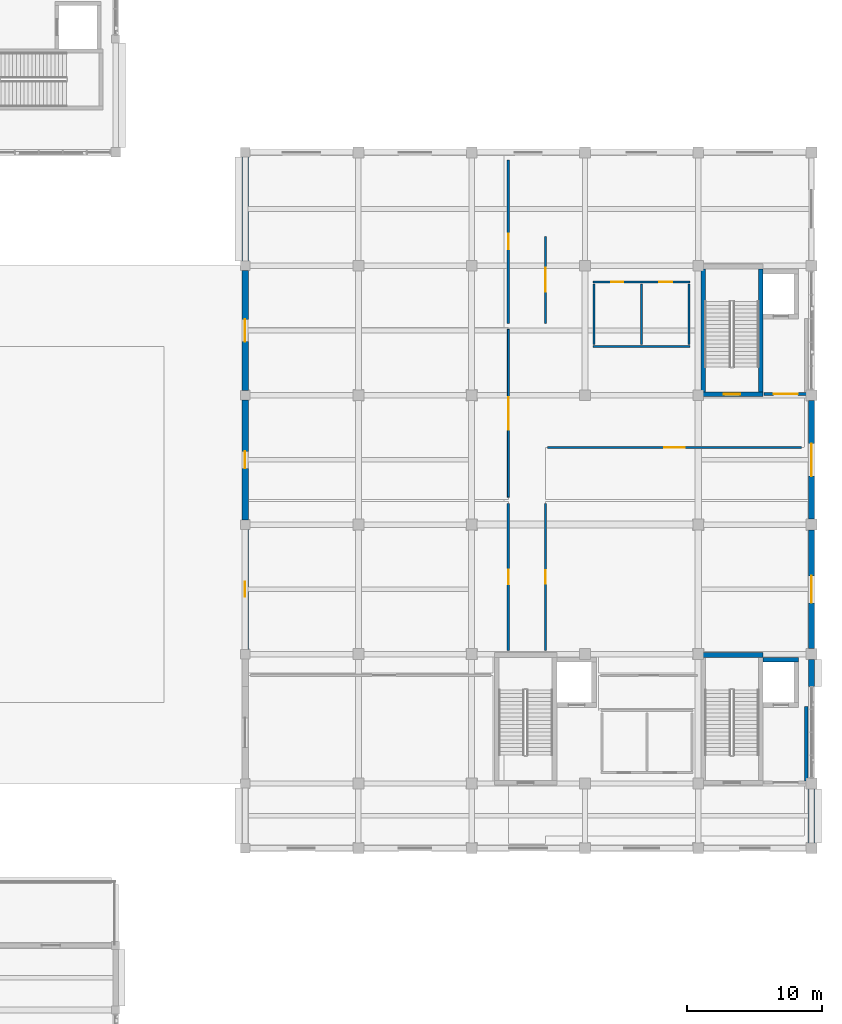
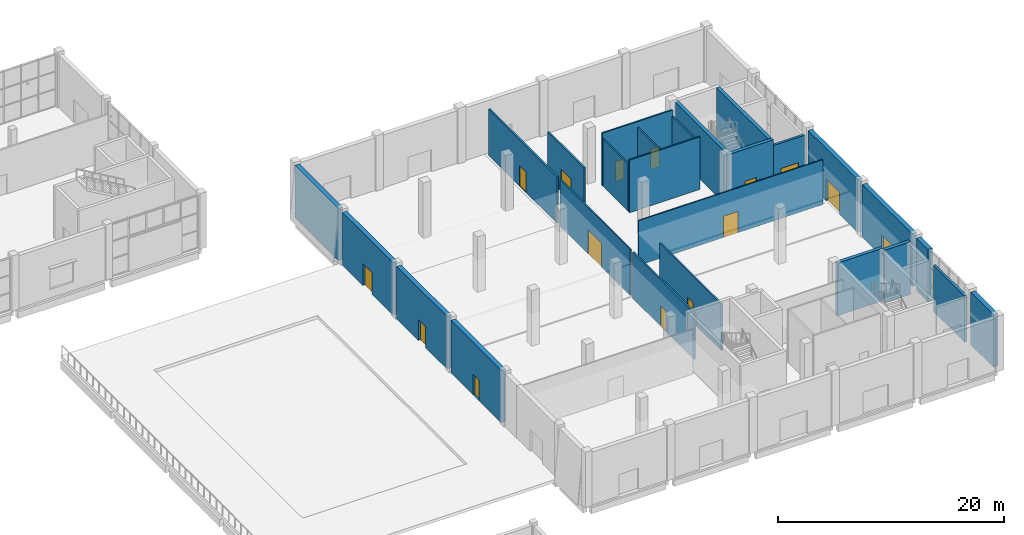
# One storey, part 60 of 84: 26 walls, 15 doors, 15 openings.
"""IFC4 building model written with IfcOpenShell, lengths in metres."""

from ifc_helpers import new_model, si_unit, direction, frame, frame_2d, origin, place, context, subcontext, project, spatial, rectangle, extrude, material, layer, layer_set, type_object, element, fill, save


model = new_model("IFC4")

# Units and contexts
model_context = context("Model", 3, precision=1e-05, world=origin(), true_north=direction((0.0, 1.0)))
body_context = subcontext(model_context, "Body", "Model", "MODEL_VIEW")
ifc_project = project(units=[si_unit("LENGTHUNIT", "METRE"), si_unit("AREAUNIT", "SQUARE_METRE"), si_unit("VOLUMEUNIT", "CUBIC_METRE"), si_unit("PLANEANGLEUNIT", "RADIAN"), si_unit("MASSUNIT", "GRAM", prefix="KILO")], contexts=[model_context])

# Site, building, storey
site_placement = place(None, origin())
site = spatial("IfcSite", under=ifc_project, at=site_placement, CompositionType="ELEMENT")
building_placement = place(site_placement, origin())
building = spatial("IfcBuilding", under=site, at=building_placement, Name="Shalvenor Court Art Gallery", CompositionType="ELEMENT")
storey_placement = place(building_placement, origin())
storey = spatial("IfcBuildingStorey", under=building, at=storey_placement, Name="L00", CompositionType="ELEMENT", Elevation=0.0)

# Wall
ifc_material_1 = material(Name="Concrete C40/50", Category="concrete")
ifc_layer_1 = layer(ifc_material_1, 0.35009765625, Name="Concrete C40/50")
ifc_layer_set_1 = layer_set([ifc_layer_1], Name="Concrete C40/50")
wall_type_1 = type_object("IfcWallType", Name="CW-W1", PredefinedType="SHEAR", material=ifc_layer_set_1)
wall_1_placement = place(storey_placement, frame((172.636962890625, 88.56201171875, 0.0), z_axis=(0.0, 0.0, 1.0), x_axis=(0.0, -1.0, 0.0)))
element("IfcWall", 1, at=wall_1_placement, inside=storey, type_object=wall_type_1, Name="L00 C1 Stair Core Shear Wall E", PredefinedType="SHEAR", context=body_context, shape_type="SweptSolid", body=[
    extrude(rectangle(XDim=9.1240234375, YDim=0.35009765625, at=frame_2d((4.56201171875, 0.0))), origin(), (0.0, 0.0, 1.0), 5.679931640625),
])

# Wall, opening, door
wall_2_placement = place(storey_placement, frame((172.81201171875, 79.262939453125, 0.0), z_axis=(0.0, 0.0, 1.0), x_axis=(-1.0, 0.0, 0.0)))
wall_2 = element("IfcWall", 2, at=wall_2_placement, inside=storey, type_object=wall_type_1, Name="L00 C1 Stair Core Shear Wall S", PredefinedType="SHEAR", context=body_context, shape_type="SweptSolid", body=[
    extrude(rectangle(XDim=4.6240234375, YDim=0.35009765625, at=frame_2d((2.31201171875, 0.0))), origin(), (0.0, 0.0, 1.0), 5.679931640625),
])
opening_1_placement = place(wall_2_placement, frame((1.7119140625, 0.0, 0.0)))
opening_1 = element("IfcOpeningElement", 3, at=opening_1_placement, cuts=wall_2, Name="Opening FD-01", PredefinedType="OPENING", context=body_context, shape_type="SweptSolid", body=[
    extrude(rectangle(XDim=1.199951171875, YDim=2.199951171875, at=frame_2d((0.60009765625, 1.10009765625))), frame((0.0, 0.18505859375, 0.0), z_axis=(0.0, -1.0, 0.0), x_axis=(1.0, 0.0, 0.0)), (0.0, 0.0, 1.0), 0.3701171875),
])
ifc_material_2 = material(Name="Fire-rated steel stair doorset", Category="steel")
door_type_1 = type_object("IfcDoorType", Name="FD-01", OperationType="NOTDEFINED", PredefinedType="DOOR", material=ifc_material_2)
door_1_placement = place(opening_1_placement, origin())
door_1 = element("IfcDoor", 4, at=door_1_placement, inside=storey, type_object=door_type_1, Name="DR-ST-L00-C1 L00 ST-01 Fire Stair Door", OperationType="SINGLE_SWING_LEFT", OverallHeight=2.199951171875, OverallWidth=1.199951171875, PredefinedType="DOOR", context=body_context, shape_type="SweptSolid", body=[
    extrude(rectangle(XDim=1.199951171875, YDim=2.199951171875, at=frame_2d((0.60009765625, 1.10009765625))), frame((0.0, 0.02490234375, 0.0), z_axis=(0.0, -1.0, 0.0), x_axis=(1.0, 0.0, 0.0)), (0.0, 0.0, 1.0), 0.050048828125),
])
fill(opening_1, door_1)

# Walls
wall_3_placement = place(storey_placement, frame((168.363037109375, 79.43798828125, 0.0), z_axis=(0.0, 0.0, 1.0), x_axis=(0.0, 1.0, 0.0)))
element("IfcWall", 5, at=wall_3_placement, inside=storey, type_object=wall_type_1, Name="L00 C1 Stair Core Shear Wall W", PredefinedType="SHEAR", context=body_context, shape_type="SweptSolid", body=[
    extrude(rectangle(XDim=9.1240234375, YDim=0.35009765625, at=frame_2d((4.56201171875, 0.0))), origin(), (0.0, 0.0, 1.0), 5.679931640625),
])
wall_4_placement = place(storey_placement, frame((168.18798828125, 59.93701171875, 0.0), z_axis=(0.0, 0.0, 1.0), x_axis=(1.0, 0.0, 0.0)))
element("IfcWall", 6, at=wall_4_placement, inside=storey, type_object=wall_type_1, Name="L00 C2 Stair Core Shear Wall N", PredefinedType="SHEAR", context=body_context, shape_type="SweptSolid", body=[
    extrude(rectangle(XDim=4.6240234375, YDim=0.35009765625, at=frame_2d((2.31201171875, 0.0))), origin(), (0.0, 0.0, 1.0), 5.679931640625),
])
wall_5_placement = place(storey_placement, frame((172.81201171875, 59.574951171875, 0.0), z_axis=(0.0, 0.0, 1.0), x_axis=(1.0, 0.0, 0.0)))
element("IfcWall", 7, at=wall_5_placement, inside=storey, type_object=wall_type_1, Name="L00 FL-02 Lift Shaft Wall N", PredefinedType="SHEAR", context=body_context, shape_type="SweptSolid", body=[
    extrude(rectangle(XDim=2.637939453125, YDim=0.35009765625, at=frame_2d((1.31884765625, 0.0))), origin(), (0.0, 0.0, 1.0), 5.679931640625),
])

# Wall, opening, door
ifc_material_3 = material(Name="Concrete C40/50", Category="concrete")
ifc_layer_2 = layer(ifc_material_3, 0.4599609375, Name="Concrete C40/50")
ifc_layer_set_2 = layer_set([ifc_layer_2], Name="Concrete C40/50")
wall_type_2 = type_object("IfcWallType", Name="EW-01", PredefinedType="SOLIDWALL", material=ifc_layer_set_2)
wall_6_placement = place(storey_placement, frame((176.39990234375, 78.800048828125, 0.0), z_axis=(0.0, 0.0, 1.0), x_axis=(0.0, -1.0, 0.0)))
wall_6 = element("IfcWall", 8, at=wall_6_placement, inside=storey, type_object=wall_type_2, Name="L00 V1 Exterior Wall WL-L00-0031", PredefinedType="SOLIDWALL", context=body_context, shape_type="SweptSolid", body=[
    extrude(rectangle(XDim=8.800048828125, YDim=0.4599609375, at=frame_2d((4.39990234375, 0.0))), origin(), (0.0, 0.0, 1.0), 5.679931640625),
])
opening_2_placement = place(wall_6_placement, frame((3.199951171875, 0.0, 0.0)))
opening_2 = element("IfcOpeningElement", 9, at=opening_2_placement, cuts=wall_6, Name="Opening ED-02", PredefinedType="OPENING", context=body_context, shape_type="SweptSolid", body=[
    extrude(rectangle(XDim=2.39990234375, YDim=2.39990234375, at=frame_2d((1.199951171875, 1.199951171875))), frame((0.0, 0.239990234375, 0.0), z_axis=(0.0, -1.0, 0.0), x_axis=(1.0, 0.0, 0.0)), (0.0, 0.0, 1.0), 0.47998046875),
])
ifc_material_4 = material(Name="Anodised bronze glazed exit doorset", Category="aluminium")
door_type_2 = type_object("IfcDoorType", Name="ED-02", OperationType="NOTDEFINED", PredefinedType="DOOR", material=ifc_material_4)
door_2_placement = place(opening_2_placement, origin())
door_2 = element("IfcDoor", 10, at=door_2_placement, inside=storey, type_object=door_type_2, Name="DR-EX-07 L00 Pedestrian Final Exit Door", OperationType="DOUBLE_DOOR_SINGLE_SWING", OverallHeight=2.39990234375, OverallWidth=2.39990234375, PredefinedType="DOOR", context=body_context, shape_type="SweptSolid", body=[
    extrude(rectangle(XDim=2.39990234375, YDim=2.39990234375, at=frame_2d((1.199951171875, 1.199951171875))), frame((0.0, 0.02490234375, 0.0), z_axis=(0.0, -1.0, 0.0), x_axis=(1.0, 0.0, 0.0)), (0.0, 0.0, 1.0), 0.050048828125),
])
fill(opening_2, door_2)

wall_7_placement = place(storey_placement, frame((176.39990234375, 69.199951171875, 0.0), z_axis=(0.0, 0.0, 1.0), x_axis=(0.0, -1.0, 0.0)))
wall_7 = element("IfcWall", 11, at=wall_7_placement, inside=storey, type_object=wall_type_2, Name="L00 V1 Exterior Wall WL-L00-0032", PredefinedType="SOLIDWALL", context=body_context, shape_type="SweptSolid", body=[
    extrude(rectangle(XDim=8.800048828125, YDim=0.4599609375, at=frame_2d((4.39990234375, 0.0))), origin(), (0.0, 0.0, 1.0), 5.679931640625),
])
opening_3_placement = place(wall_7_placement, frame((3.39990234375, 0.0, 0.0)))
opening_3 = element("IfcOpeningElement", 12, at=opening_3_placement, cuts=wall_7, Name="Opening ED-03", PredefinedType="OPENING", context=body_context, shape_type="SweptSolid", body=[
    extrude(rectangle(XDim=2.0, YDim=2.300048828125, at=frame_2d((1.0, 1.14990234375))), frame((0.0, 0.239990234375, 0.0), z_axis=(0.0, -1.0, 0.0), x_axis=(1.0, 0.0, 0.0)), (0.0, 0.0, 1.0), 0.47998046875),
])
ifc_material_5 = material(Name="Anodised bronze glazed exit doorset", Category="aluminium")
door_type_3 = type_object("IfcDoorType", Name="ED-03", OperationType="NOTDEFINED", PredefinedType="DOOR", material=ifc_material_5)
door_3_placement = place(opening_3_placement, origin())
door_3 = element("IfcDoor", 13, at=door_3_placement, inside=storey, type_object=door_type_3, Name="DR-EX-08 L00 Pedestrian Final Exit Door", OperationType="DOUBLE_DOOR_SINGLE_SWING", OverallHeight=2.300048828125, OverallWidth=2.0, PredefinedType="DOOR", context=body_context, shape_type="SweptSolid", body=[
    extrude(rectangle(XDim=2.0, YDim=2.300048828125, at=frame_2d((1.0, 1.14990234375))), frame((0.0, 0.02490234375, 0.0), z_axis=(0.0, -1.0, 0.0), x_axis=(1.0, 0.0, 0.0)), (0.0, 0.0, 1.0), 0.050048828125),
])
fill(opening_3, door_3)

# Walls
wall_8_placement = place(storey_placement, frame((176.39990234375, 59.60009765625, 0.0), z_axis=(0.0, 0.0, 1.0), x_axis=(0.0, -1.0, 0.0)))
element("IfcWall", 14, at=wall_8_placement, inside=storey, type_object=wall_type_2, Name="L00 V1 Exterior Wall WL-L00-0033", PredefinedType="SOLIDWALL", context=body_context, shape_type="SweptSolid", body=[
    extrude(rectangle(XDim=2.0, YDim=0.4599609375, at=frame_2d((1.0, 0.0))), origin(), (0.0, 0.0, 1.0), 5.679931640625),
])
wall_9_placement = place(storey_placement, frame((176.39990234375, 50.0, 0.0), z_axis=(0.0, 0.0, 1.0), x_axis=(0.0, -1.0, 0.0)))
element("IfcWall", 15, at=wall_9_placement, inside=storey, type_object=wall_type_2, Name="L00 V1 Exterior Wall WL-L00-0034", PredefinedType="SOLIDWALL", context=body_context, shape_type="SweptSolid", body=[
    extrude(rectangle(XDim=4.0, YDim=0.4599609375, at=frame_2d((2.0, 0.0))), origin(), (0.0, 0.0, 1.0), 5.679931640625),
])

# Wall, opening, door
wall_10_placement = place(storey_placement, frame((134.39990234375, 60.35009765625, 0.0), z_axis=(0.0, 0.0, 1.0), x_axis=(0.0, 1.0, 0.0)))
wall_10 = element("IfcWall", 16, at=wall_10_placement, inside=storey, type_object=wall_type_2, Name="L00 V1 Exterior Wall WL-L00-0043", PredefinedType="SOLIDWALL", context=body_context, shape_type="SweptSolid", body=[
    extrude(rectangle(XDim=8.89990234375, YDim=0.4599609375, at=frame_2d((4.449951171875, 0.0))), origin(), (0.0, 0.0, 1.0), 5.679931640625),
])
opening_4_placement = place(wall_10_placement, frame((3.89990234375, 0.0, 0.0)))
opening_4 = element("IfcOpeningElement", 17, at=opening_4_placement, cuts=wall_10, Name="Opening TD-03", PredefinedType="OPENING", context=body_context, shape_type="SweptSolid", body=[
    extrude(rectangle(XDim=1.10009765625, YDim=2.199951171875, at=frame_2d((0.550048828125, 1.10009765625))), frame((0.0, 0.239990234375, 0.0), z_axis=(0.0, -1.0, 0.0), x_axis=(1.0, 0.0, 0.0)), (0.0, 0.0, 1.0), 0.47998046875),
])
ifc_material_6 = material(Name="Anodised aluminium glazed terrace door", Category="aluminium")
door_type_4 = type_object("IfcDoorType", Name="TD-03", OperationType="NOTDEFINED", PredefinedType="DOOR", material=ifc_material_6)
door_4_placement = place(opening_4_placement, origin())
door_4 = element("IfcDoor", 18, at=door_4_placement, inside=storey, type_object=door_type_4, Name="DR-TR-015 L00 Gallery Terrace Door", OperationType="SINGLE_SWING_RIGHT", OverallHeight=2.199951171875, OverallWidth=1.10009765625, PredefinedType="DOOR", context=body_context, shape_type="SweptSolid", body=[
    extrude(rectangle(XDim=1.10009765625, YDim=2.199951171875, at=frame_2d((0.550048828125, 1.10009765625))), frame((0.0, 0.02490234375, 0.0), z_axis=(0.0, -1.0, 0.0), x_axis=(1.0, 0.0, 0.0)), (0.0, 0.0, 1.0), 0.050048828125),
])
fill(opening_4, door_4)

wall_11_placement = place(storey_placement, frame((134.39990234375, 69.949951171875, 0.0), z_axis=(0.0, 0.0, 1.0), x_axis=(0.0, 1.0, 0.0)))
wall_11 = element("IfcWall", 19, at=wall_11_placement, inside=storey, type_object=wall_type_2, Name="L00 V1 Exterior Wall WL-L00-0044", PredefinedType="SOLIDWALL", context=body_context, shape_type="SweptSolid", body=[
    extrude(rectangle(XDim=8.900146484375, YDim=0.4599609375, at=frame_2d((4.4501953125, 0.0))), origin(), (0.0, 0.0, 1.0), 5.679931640625),
])
opening_5_placement = place(wall_11_placement, frame((3.824951171875, 0.0, 0.0)))
opening_5 = element("IfcOpeningElement", 20, at=opening_5_placement, cuts=wall_11, Name="Opening TD-04", PredefinedType="OPENING", context=body_context, shape_type="SweptSolid", body=[
    extrude(rectangle(XDim=1.25, YDim=2.25, at=frame_2d((0.625, 1.125))), frame((0.0, 0.239990234375, 0.0), z_axis=(0.0, -1.0, 0.0), x_axis=(1.0, 0.0, 0.0)), (0.0, 0.0, 1.0), 0.47998046875),
])
ifc_material_7 = material(Name="Anodised aluminium glazed terrace door", Category="aluminium")
door_type_5 = type_object("IfcDoorType", Name="TD-04", OperationType="NOTDEFINED", PredefinedType="DOOR", material=ifc_material_7)
door_5_placement = place(opening_5_placement, origin())
door_5 = element("IfcDoor", 21, at=door_5_placement, inside=storey, type_object=door_type_5, Name="DR-TR-016 L00 Gallery Terrace Door", OperationType="SINGLE_SWING_LEFT", OverallHeight=2.25, OverallWidth=1.25, PredefinedType="DOOR", context=body_context, shape_type="SweptSolid", body=[
    extrude(rectangle(XDim=1.25, YDim=2.25, at=frame_2d((0.625, 1.125))), frame((0.0, 0.02490234375, 0.0), z_axis=(0.0, -1.0, 0.0), x_axis=(1.0, 0.0, 0.0)), (0.0, 0.0, 1.0), 0.050048828125),
])
fill(opening_5, door_5)

wall_12_placement = place(storey_placement, frame((134.39990234375, 79.550048828125, 0.0), z_axis=(0.0, 0.0, 1.0), x_axis=(0.0, 1.0, 0.0)))
wall_12 = element("IfcWall", 22, at=wall_12_placement, inside=storey, type_object=wall_type_2, Name="L00 V1 Exterior Wall WL-L00-0045", PredefinedType="SOLIDWALL", context=body_context, shape_type="SweptSolid", body=[
    extrude(rectangle(XDim=8.89990234375, YDim=0.4599609375, at=frame_2d((4.449951171875, 0.0))), origin(), (0.0, 0.0, 1.0), 5.679931640625),
])
opening_6_placement = place(wall_12_placement, frame((3.625, 0.0, 0.0)))
opening_6 = element("IfcOpeningElement", 23, at=opening_6_placement, cuts=wall_12, Name="Opening TD-05", PredefinedType="OPENING", context=body_context, shape_type="SweptSolid", body=[
    extrude(rectangle(XDim=1.64990234375, YDim=2.35009765625, at=frame_2d((0.824951171875, 1.175048828125))), frame((0.0, 0.239990234375, 0.0), z_axis=(0.0, -1.0, 0.0), x_axis=(1.0, 0.0, 0.0)), (0.0, 0.0, 1.0), 0.47998046875),
])
ifc_material_8 = material(Name="Anodised aluminium glazed terrace door", Category="aluminium")
door_type_6 = type_object("IfcDoorType", Name="TD-05", OperationType="NOTDEFINED", PredefinedType="DOOR", material=ifc_material_8)
door_6_placement = place(opening_6_placement, origin())
door_6 = element("IfcDoor", 24, at=door_6_placement, inside=storey, type_object=door_type_6, Name="DR-TR-017 L00 Gallery Terrace Door", OperationType="DOUBLE_DOOR_SINGLE_SWING", OverallHeight=2.35009765625, OverallWidth=1.64990234375, PredefinedType="DOOR", context=body_context, shape_type="SweptSolid", body=[
    extrude(rectangle(XDim=1.64990234375, YDim=2.35009765625, at=frame_2d((0.824951171875, 1.175048828125))), frame((0.0, 0.02490234375, 0.0), z_axis=(0.0, -1.0, 0.0), x_axis=(1.0, 0.0, 0.0)), (0.0, 0.0, 1.0), 0.050048828125),
])
fill(opening_6, door_6)

# Wall
wall_13_placement = place(storey_placement, frame((134.39990234375, 89.14990234375, 0.0), z_axis=(0.0, 0.0, 1.0), x_axis=(0.0, 1.0, 0.0)))
element("IfcWall", 25, at=wall_13_placement, inside=storey, type_object=wall_type_2, Name="L00 V1 Exterior Wall WL-L00-0046", PredefinedType="SOLIDWALL", context=body_context, shape_type="SweptSolid", body=[
    extrude(rectangle(XDim=7.7001953125, YDim=0.4599609375, at=frame_2d((3.85009765625, 0.0))), origin(), (0.0, 0.0, 1.0), 5.679931640625),
])

# Wall, opening, door
ifc_material_9 = material(Name="Concrete blockwork fire wall", Category="masonry")
ifc_layer_3 = layer(ifc_material_9, 0.239990234375, Name="Concrete blockwork fire wall")
ifc_layer_set_3 = layer_set([ifc_layer_3], Name="Concrete blockwork fire wall")
wall_type_3 = type_object("IfcWallType", Name="FW-01", PredefinedType="PARTITIONING", material=ifc_layer_set_3)
wall_14_placement = place(storey_placement, frame((176.1201171875, 79.280029296875, 0.0), z_axis=(0.0, 0.0, 1.0), x_axis=(-1.0, 0.0, 0.0)))
wall_14 = element("IfcWall", 26, at=wall_14_placement, inside=storey, type_object=wall_type_3, Name="L00 C1 Firefighting Lobby Wall S", PredefinedType="PARTITIONING", context=body_context, shape_type="SweptSolid", body=[
    extrude(rectangle(XDim=3.25, YDim=0.239990234375, at=frame_2d((1.625, 0.0))), origin(), (0.0, 0.0, 1.0), 5.0048828125),
])
opening_7_placement = place(wall_14_placement, frame((0.72509765625, 0.0, 0.0)))
opening_7 = element("IfcOpeningElement", 27, at=opening_7_placement, cuts=wall_14, Name="Opening FD-02", PredefinedType="OPENING", context=body_context, shape_type="SweptSolid", body=[
    extrude(rectangle(XDim=1.800048828125, YDim=2.25, at=frame_2d((0.89990234375, 1.125))), frame((0.0, 0.1298828125, 0.0), z_axis=(0.0, -1.0, 0.0), x_axis=(1.0, 0.0, 0.0)), (0.0, 0.0, 1.0), 0.260009765625),
])
ifc_material_10 = material(Name="Fire-rated double lobby doorset", Category="steel")
door_type_7 = type_object("IfcDoorType", Name="FD-02", OperationType="NOTDEFINED", PredefinedType="DOOR", material=ifc_material_10)
door_7_placement = place(opening_7_placement, origin())
door_7 = element("IfcDoor", 28, at=door_7_placement, inside=storey, type_object=door_type_7, Name="DR-FFL-L00-C1 L00 C1 Firefighting Lobby Double Door", OperationType="DOUBLE_DOOR_SINGLE_SWING", OverallHeight=2.25, OverallWidth=1.800048828125, PredefinedType="DOOR", context=body_context, shape_type="SweptSolid", body=[
    extrude(rectangle(XDim=1.800048828125, YDim=2.25, at=frame_2d((0.89990234375, 1.125))), frame((0.0, 0.02490234375, 0.0), z_axis=(0.0, -1.0, 0.0), x_axis=(1.0, 0.0, 0.0)), (0.0, 0.0, 1.0), 0.050048828125),
])
fill(opening_7, door_7)

# Wall
wall_15_placement = place(storey_placement, frame((176.0, 56.10009765625, 0.0), z_axis=(0.0, 0.0, 1.0), x_axis=(0.0, -1.0, 0.0)))
element("IfcWall", 29, at=wall_15_placement, inside=storey, type_object=wall_type_3, Name="L00 C2 Firefighting Lobby Wall E", PredefinedType="PARTITIONING", context=body_context, shape_type="SweptSolid", body=[
    extrude(rectangle(XDim=5.5, YDim=0.239990234375, at=frame_2d((2.75, 0.0))), origin(), (0.0, 0.0, 1.0), 5.0048828125),
])

# Wall, opening, door
ifc_material_11 = material(Name="Plywood-backed acoustic art-hanging partition", Category="wood")
ifc_layer_4 = layer(ifc_material_11, 0.179931640625, Name="Plywood-backed acoustic art-hanging partition")
ifc_layer_set_4 = layer_set([ifc_layer_4], Name="Plywood-backed acoustic art-hanging partition")
wall_type_4 = type_object("IfcWallType", Name="PT-01", PredefinedType="PARTITIONING", material=ifc_layer_set_4)
wall_16_placement = place(storey_placement, frame((153.919921875, 71.169921875, 0.0), z_axis=(0.0, 0.0, 1.0), x_axis=(0.0, -1.0, 0.0)))
wall_16 = element("IfcWall", 30, at=wall_16_placement, inside=storey, type_object=wall_type_4, Name="L00 Sculpture Exhibition Hall Partition 593", PredefinedType="PARTITIONING", context=body_context, shape_type="SweptSolid", body=[
    extrude(rectangle(XDim=10.89990234375, YDim=0.179931640625, at=frame_2d((5.449951171875, 0.0))), origin(), (0.0, 0.0, 1.0), 5.0048828125),
])
opening_8_placement = place(wall_16_placement, frame((4.925048828125, 0.0, 0.0)))
opening_8 = element("IfcOpeningElement", 31, at=opening_8_placement, cuts=wall_16, Name="Opening ID-04", PredefinedType="OPENING", context=body_context, shape_type="SweptSolid", body=[
    extrude(rectangle(XDim=1.050048828125, YDim=2.199951171875, at=frame_2d((0.52490234375, 1.10009765625))), frame((0.0, 0.099853515625, 0.0), z_axis=(0.0, -1.0, 0.0), x_axis=(1.0, 0.0, 0.0)), (0.0, 0.0, 1.0), 0.199951171875),
])
ifc_material_12 = material(Name="Oak-veneered accessible room doorset", Category="wood")
door_type_8 = type_object("IfcDoorType", Name="ID-04", OperationType="NOTDEFINED", PredefinedType="DOOR", material=ifc_material_12)
door_8_placement = place(opening_8_placement, origin())
door_8 = element("IfcDoor", 32, at=door_8_placement, inside=storey, type_object=door_type_8, Name="DR-RM-L00-0124 L00 Sculpture Exhibition Hall Door", OperationType="SINGLE_SWING_RIGHT", OverallHeight=2.199951171875, OverallWidth=1.050048828125, PredefinedType="DOOR", context=body_context, shape_type="SweptSolid", body=[
    extrude(rectangle(XDim=1.050048828125, YDim=2.199951171875, at=frame_2d((0.52490234375, 1.10009765625))), frame((0.0, 0.02490234375, 0.0), z_axis=(0.0, -1.0, 0.0), x_axis=(1.0, 0.0, 0.0)), (0.0, 0.0, 1.0), 0.050048828125),
])
fill(opening_8, door_8)

wall_17_placement = place(storey_placement, frame((153.919921875, 96.64990234375, 0.0), z_axis=(0.0, 0.0, 1.0), x_axis=(0.0, -1.0, 0.0)))
wall_17 = element("IfcWall", 33, at=wall_17_placement, inside=storey, type_object=wall_type_4, Name="L00 Fire Command Centre Partition 597", PredefinedType="PARTITIONING", context=body_context, shape_type="SweptSolid", body=[
    extrude(rectangle(XDim=12.119873046875, YDim=0.179931640625, at=frame_2d((6.06005859375, 0.0))), origin(), (0.0, 0.0, 1.0), 5.0048828125),
])
opening_9_placement = place(wall_17_placement, frame((5.485107421875, 0.0, 0.0)))
opening_9 = element("IfcOpeningElement", 34, at=opening_9_placement, cuts=wall_17, Name="Opening ID-10", PredefinedType="OPENING", context=body_context, shape_type="SweptSolid", body=[
    extrude(rectangle(XDim=1.14990234375, YDim=2.199951171875, at=frame_2d((0.574951171875, 1.10009765625))), frame((0.0, 0.099853515625, 0.0), z_axis=(0.0, -1.0, 0.0), x_axis=(1.0, 0.0, 0.0)), (0.0, 0.0, 1.0), 0.199951171875),
])
ifc_material_13 = material(Name="Acoustic conservation lab single doorset", Category="steel")
door_type_9 = type_object("IfcDoorType", Name="ID-10", OperationType="NOTDEFINED", PredefinedType="DOOR", material=ifc_material_13)
door_9_placement = place(opening_9_placement, origin())
door_9 = element("IfcDoor", 35, at=door_9_placement, inside=storey, type_object=door_type_9, Name="DR-RM-L00-0128 L00 Fire Command Centre Door", OperationType="SINGLE_SWING_RIGHT", OverallHeight=2.199951171875, OverallWidth=1.14990234375, PredefinedType="DOOR", context=body_context, shape_type="SweptSolid", body=[
    extrude(rectangle(XDim=1.14990234375, YDim=2.199951171875, at=frame_2d((0.574951171875, 1.10009765625))), frame((0.0, 0.02490234375, 0.0), z_axis=(0.0, -1.0, 0.0), x_axis=(1.0, 0.0, 0.0)), (0.0, 0.0, 1.0), 0.050048828125),
])
fill(opening_9, door_9)

ifc_material_14 = material(Name="Double-stud acoustic gallery partition", Category="other")
ifc_layer_5 = layer(ifc_material_14, 0.1650390625, Name="Double-stud acoustic gallery partition")
ifc_layer_set_5 = layer_set([ifc_layer_5], Name="Double-stud acoustic gallery partition")
wall_type_5 = type_object("IfcWallType", Name="PT-02", PredefinedType="PARTITIONING", material=ifc_layer_set_5)
wall_18_placement = place(storey_placement, frame((156.679931640625, 60.27001953125, 0.0), z_axis=(0.0, 0.0, 1.0), x_axis=(0.0, 1.0, 0.0)))
wall_18 = element("IfcWall", 36, at=wall_18_placement, inside=storey, type_object=wall_type_5, Name="L00 Sculpture Exhibition Hall Wing B Partition 594", PredefinedType="PARTITIONING", context=body_context, shape_type="SweptSolid", body=[
    extrude(rectangle(XDim=10.89990234375, YDim=0.1650390625, at=frame_2d((5.449951171875, 0.0))), origin(), (0.0, 0.0, 1.0), 5.0048828125),
])
opening_10_placement = place(wall_18_placement, frame((4.949951171875, 0.0, 0.0)))
opening_10 = element("IfcOpeningElement", 37, at=opening_10_placement, cuts=wall_18, Name="Opening ID-05", PredefinedType="OPENING", context=body_context, shape_type="SweptSolid", body=[
    extrude(rectangle(XDim=1.0, YDim=2.14990234375, at=frame_2d((0.5, 1.074951171875))), frame((0.0, 0.092529296875, 0.0), z_axis=(0.0, -1.0, 0.0), x_axis=(1.0, 0.0, 0.0)), (0.0, 0.0, 1.0), 0.18505859375),
])
ifc_material_15 = material(Name="Timber office single doorset", Category="wood")
door_type_10 = type_object("IfcDoorType", Name="ID-05", OperationType="NOTDEFINED", PredefinedType="DOOR", material=ifc_material_15)
door_10_placement = place(opening_10_placement, origin())
door_10 = element("IfcDoor", 38, at=door_10_placement, inside=storey, type_object=door_type_10, Name="DR-RM-L00-0125 L00 Sculpture Exhibition Hall Wing B Door", OperationType="SINGLE_SWING_LEFT", OverallHeight=2.14990234375, OverallWidth=1.0, PredefinedType="DOOR", context=body_context, shape_type="SweptSolid", body=[
    extrude(rectangle(XDim=1.0, YDim=2.14990234375, at=frame_2d((0.5, 1.074951171875))), frame((0.0, 0.02490234375, 0.0), z_axis=(0.0, -1.0, 0.0), x_axis=(1.0, 0.0, 0.0)), (0.0, 0.0, 1.0), 0.050048828125),
])
fill(opening_10, door_10)

wall_19_placement = place(storey_placement, frame((156.679931640625, 84.530029296875, 0.0), z_axis=(0.0, 0.0, 1.0), x_axis=(0.0, 1.0, 0.0)))
wall_19 = element("IfcWall", 39, at=wall_19_placement, inside=storey, type_object=wall_type_5, Name="L00 Fire Command Centre Wing B Partition 598", PredefinedType="PARTITIONING", context=body_context, shape_type="SweptSolid", body=[
    extrude(rectangle(XDim=6.43994140625, YDim=0.1650390625, at=frame_2d((3.219970703125, 0.0))), origin(), (0.0, 0.0, 1.0), 5.0048828125),
])
opening_11_placement = place(wall_19_placement, frame((2.320068359375, 0.0, 0.0)))
opening_11 = element("IfcOpeningElement", 40, at=opening_11_placement, cuts=wall_19, Name="Opening ID-01", PredefinedType="OPENING", context=body_context, shape_type="SweptSolid", body=[
    extrude(rectangle(XDim=1.800048828125, YDim=2.39990234375, at=frame_2d((0.89990234375, 1.199951171875))), frame((0.0, 0.092529296875, 0.0), z_axis=(0.0, -1.0, 0.0), x_axis=(1.0, 0.0, 0.0)), (0.0, 0.0, 1.0), 0.18505859375),
])
ifc_material_16 = material(Name="Oak-veneered acoustic gallery double doorset", Category="wood")
door_type_11 = type_object("IfcDoorType", Name="ID-01", OperationType="NOTDEFINED", PredefinedType="DOOR", material=ifc_material_16)
door_11_placement = place(opening_11_placement, origin())
door_11 = element("IfcDoor", 41, at=door_11_placement, inside=storey, type_object=door_type_11, Name="DR-RM-L00-0129 L00 Fire Command Centre Wing B Door", OperationType="DOUBLE_DOOR_SINGLE_SWING", OverallHeight=2.39990234375, OverallWidth=1.800048828125, PredefinedType="DOOR", context=body_context, shape_type="SweptSolid", body=[
    extrude(rectangle(XDim=1.800048828125, YDim=2.39990234375, at=frame_2d((0.89990234375, 1.199951171875))), frame((0.0, 0.02490234375, 0.0), z_axis=(0.0, -1.0, 0.0), x_axis=(1.0, 0.0, 0.0)), (0.0, 0.0, 1.0), 0.050048828125),
])
fill(opening_11, door_11)

# Wall, openings, doors
ifc_material_17 = material(Name="Moisture-resistant sanitary partition", Category="other")
ifc_layer_6 = layer(ifc_material_17, 0.14990234375, Name="Moisture-resistant sanitary partition")
ifc_layer_set_6 = layer_set([ifc_layer_6], Name="Moisture-resistant sanitary partition")
wall_type_6 = type_object("IfcWallType", Name="PT-03", PredefinedType="PARTITIONING", material=ifc_layer_set_6)
wall_20_placement = place(storey_placement, frame((160.199951171875, 87.60009765625, 0.0), z_axis=(0.0, 0.0, 1.0), x_axis=(1.0, 0.0, 0.0)))
wall_20 = element("IfcWall", 42, at=wall_20_placement, inside=storey, type_object=wall_type_6, Name="L00 C1 Restroom Front Partition", PredefinedType="PARTITIONING", context=body_context, shape_type="SweptSolid", body=[
    extrude(rectangle(XDim=7.199951171875, YDim=0.14990234375, at=frame_2d((3.60009765625, 0.0))), origin(), (0.0, 0.0, 1.0), 5.679931640625),
])
opening_12_placement = place(wall_20_placement, frame((1.35009765625, 0.0, 0.0)))
opening_12 = element("IfcOpeningElement", 43, at=opening_12_placement, cuts=wall_20, Name="Opening ID-07", PredefinedType="OPENING", context=body_context, shape_type="SweptSolid", body=[
    extrude(rectangle(XDim=0.89990234375, YDim=2.10009765625, at=frame_2d((0.449951171875, 1.050048828125))), frame((0.0, 0.0849609375, 0.0), z_axis=(0.0, -1.0, 0.0), x_axis=(1.0, 0.0, 0.0)), (0.0, 0.0, 1.0), 0.169921875),
])
opening_13_placement = place(wall_20_placement, frame((4.925048828125, 0.0, 0.0)))
opening_13 = element("IfcOpeningElement", 44, at=opening_13_placement, cuts=wall_20, Name="Opening ID-06", PredefinedType="OPENING", context=body_context, shape_type="SweptSolid", body=[
    extrude(rectangle(XDim=0.949951171875, YDim=2.14990234375, at=frame_2d((0.47509765625, 1.074951171875))), frame((0.0, 0.0849609375, 0.0), z_axis=(0.0, -1.0, 0.0), x_axis=(1.0, 0.0, 0.0)), (0.0, 0.0, 1.0), 0.169921875),
])
ifc_material_18 = material(Name="Accessible restroom doorset", Category="steel")
door_type_12 = type_object("IfcDoorType", Name="ID-06", OperationType="NOTDEFINED", PredefinedType="DOOR", material=ifc_material_18)
door_12_placement = place(opening_13_placement, origin())
door_12 = element("IfcDoor", 45, at=door_12_placement, inside=storey, type_object=door_type_12, Name="DR-AWC-L00-C1-2 L00 C1 Accessible Restroom Door", OperationType="SINGLE_SWING_LEFT", OverallHeight=2.14990234375, OverallWidth=0.949951171875, PredefinedType="DOOR", context=body_context, shape_type="SweptSolid", body=[
    extrude(rectangle(XDim=0.949951171875, YDim=2.14990234375, at=frame_2d((0.47509765625, 1.074951171875))), frame((0.0, 0.02490234375, 0.0), z_axis=(0.0, -1.0, 0.0), x_axis=(1.0, 0.0, 0.0)), (0.0, 0.0, 1.0), 0.050048828125),
])
fill(opening_13, door_12)
ifc_material_19 = material(Name="Restroom timber doorset", Category="wood")
door_type_13 = type_object("IfcDoorType", Name="ID-07", OperationType="NOTDEFINED", PredefinedType="DOOR", material=ifc_material_19)
door_13_placement = place(opening_12_placement, origin())
door_13 = element("IfcDoor", 46, at=door_13_placement, inside=storey, type_object=door_type_13, Name="DR-WC-L00-C1-1 L00 C1 Public Restroom Door", OperationType="SINGLE_SWING_RIGHT", OverallHeight=2.10009765625, OverallWidth=0.89990234375, PredefinedType="DOOR", context=body_context, shape_type="SweptSolid", body=[
    extrude(rectangle(XDim=0.89990234375, YDim=2.10009765625, at=frame_2d((0.449951171875, 1.050048828125))), frame((0.0, 0.02490234375, 0.0), z_axis=(0.0, -1.0, 0.0), x_axis=(1.0, 0.0, 0.0)), (0.0, 0.0, 1.0), 0.050048828125),
])
fill(opening_12, door_13)

# Walls
wall_21_placement = place(storey_placement, frame((160.199951171875, 82.800048828125, 0.0), z_axis=(0.0, 0.0, 1.0), x_axis=(1.0, 0.0, 0.0)))
element("IfcWall", 47, at=wall_21_placement, inside=storey, type_object=wall_type_6, Name="L00 C1 Restroom Back Partition", PredefinedType="PARTITIONING", context=body_context, shape_type="SweptSolid", body=[
    extrude(rectangle(XDim=7.199951171875, YDim=0.14990234375, at=frame_2d((3.60009765625, 0.0))), origin(), (0.0, 0.0, 1.0), 5.679931640625),
])
for number, where, z_axis, x_axis, name in (
    (48, (160.27490234375, 82.9599609375, 0.0), (0.0, 0.0, 1.0), (0.0, 1.0, 0.0), "L00 C1 Restroom Partition L"),
    (49, (163.800048828125, 82.9599609375, 0.0), (0.0, 0.0, 1.0), (0.0, 1.0, 0.0), "L00 C1 Restroom Partition M"),
    (50, (167.324951171875, 82.9599609375, 0.0), (0.0, 0.0, 1.0), (0.0, 1.0, 0.0), "L00 C1 Restroom Partition R"),
):
    element("IfcWall", number, at=place(storey_placement, frame(where, z_axis=z_axis, x_axis=x_axis)), inside=storey, type_object=wall_type_6, Name=name, PredefinedType="PARTITIONING", context=body_context, shape_type="SweptSolid", body=[
        extrude(rectangle(XDim=4.47998046875, YDim=0.14990234375, at=frame_2d((2.239990234375, 0.0))), origin(), (0.0, 0.0, 1.0), 5.10498046875),
    ])

# Wall, opening, door
ifc_material_20 = material(Name="Insulated studio acoustic partition", Category="other")
ifc_layer_7 = layer(ifc_material_20, 0.135009765625, Name="Insulated studio acoustic partition")
ifc_layer_set_7 = layer_set([ifc_layer_7], Name="Insulated studio acoustic partition")
wall_type_7 = type_object("IfcWallType", Name="PT-04", PredefinedType="PARTITIONING", material=ifc_layer_set_7)
wall_22_placement = place(storey_placement, frame((153.919921875, 84.070068359375, 0.0), z_axis=(0.0, 0.0, 1.0), x_axis=(0.0, -1.0, 0.0)))
wall_22 = element("IfcWall", 51, at=wall_22_placement, inside=storey, type_object=wall_type_7, Name="L00 Permanent Painting Gallery Partition 595", PredefinedType="PARTITIONING", context=body_context, shape_type="SweptSolid", body=[
    extrude(rectangle(XDim=12.440185546875, YDim=0.135009765625, at=frame_2d((6.22021484375, 0.0))), origin(), (0.0, 0.0, 1.0), 5.0048828125),
])
opening_14_placement = place(wall_22_placement, frame((5.02001953125, 0.0, 0.0)))
opening_14 = element("IfcOpeningElement", 52, at=opening_14_placement, cuts=wall_22, Name="Opening ID-08", PredefinedType="OPENING", context=body_context, shape_type="SweptSolid", body=[
    extrude(rectangle(XDim=2.39990234375, YDim=2.60009765625, at=frame_2d((1.199951171875, 1.300048828125))), frame((0.0, 0.077392578125, 0.0), z_axis=(0.0, -1.0, 0.0), x_axis=(1.0, 0.0, 0.0)), (0.0, 0.0, 1.0), 0.155029296875),
])
ifc_material_21 = material(Name="Oversized crate gallery portal double doorset", Category="steel")
door_type_14 = type_object("IfcDoorType", Name="ID-08", OperationType="NOTDEFINED", PredefinedType="DOOR", material=ifc_material_21)
door_14_placement = place(opening_14_placement, origin())
door_14 = element("IfcDoor", 53, at=door_14_placement, inside=storey, type_object=door_type_14, Name="DR-RM-L00-0126 L00 Permanent Painting Gallery Door", OperationType="DOUBLE_DOOR_SINGLE_SWING", OverallHeight=2.60009765625, OverallWidth=2.39990234375, PredefinedType="DOOR", context=body_context, shape_type="SweptSolid", body=[
    extrude(rectangle(XDim=2.39990234375, YDim=2.60009765625, at=frame_2d((1.199951171875, 1.300048828125))), frame((0.0, 0.02490234375, 0.0), z_axis=(0.0, -1.0, 0.0), x_axis=(1.0, 0.0, 0.0)), (0.0, 0.0, 1.0), 0.050048828125),
])
fill(opening_14, door_14)

ifc_material_22 = material(Name="Lightweight office gypsum partition", Category="other")
ifc_layer_8 = layer(ifc_material_22, 0.1201171875, Name="Lightweight office gypsum partition")
ifc_layer_set_8 = layer_set([ifc_layer_8], Name="Lightweight office gypsum partition")
wall_type_8 = type_object("IfcWallType", Name="PT-05", PredefinedType="PARTITIONING", material=ifc_layer_set_8)
wall_23_placement = place(storey_placement, frame((156.830078125, 75.320068359375, 0.0), z_axis=(0.0, 0.0, 1.0), x_axis=(1.0, 0.0, 0.0)))
wall_23 = element("IfcWall", 54, at=wall_23_placement, inside=storey, type_object=wall_type_8, Name="L00 Permanent Painting Gallery Wing B Partition 596", PredefinedType="PARTITIONING", context=body_context, shape_type="SweptSolid", body=[
    extrude(rectangle(XDim=18.81982421875, YDim=0.1201171875, at=frame_2d((9.409912109375, 0.0))), origin(), (0.0, 0.0, 1.0), 4.85498046875),
])
opening_15_placement = place(wall_23_placement, frame((8.659912109375, 0.0, 0.0)))
opening_15 = element("IfcOpeningElement", 55, at=opening_15_placement, cuts=wall_23, Name="Opening ID-09", PredefinedType="OPENING", context=body_context, shape_type="SweptSolid", body=[
    extrude(rectangle(XDim=1.5, YDim=2.300048828125, at=frame_2d((0.75, 1.14990234375))), frame((0.0, 0.070068359375, 0.0), z_axis=(0.0, -1.0, 0.0), x_axis=(1.0, 0.0, 0.0)), (0.0, 0.0, 1.0), 0.14013671875),
])
ifc_material_23 = material(Name="Oak-veneered seminar double doorset", Category="wood")
door_type_15 = type_object("IfcDoorType", Name="ID-09", OperationType="NOTDEFINED", PredefinedType="DOOR", material=ifc_material_23)
door_15_placement = place(opening_15_placement, origin())
door_15 = element("IfcDoor", 56, at=door_15_placement, inside=storey, type_object=door_type_15, Name="DR-RM-L00-0127 L00 Permanent Painting Gallery Wing B Door", OperationType="DOUBLE_DOOR_SINGLE_SWING", OverallHeight=2.300048828125, OverallWidth=1.5, PredefinedType="DOOR", context=body_context, shape_type="SweptSolid", body=[
    extrude(rectangle(XDim=1.5, YDim=2.300048828125, at=frame_2d((0.75, 1.14990234375))), frame((0.0, 0.02490234375, 0.0), z_axis=(0.0, -1.0, 0.0), x_axis=(1.0, 0.0, 0.0)), (0.0, 0.0, 1.0), 0.050048828125),
])
fill(opening_15, door_15)

save(model, "model.ifc")
